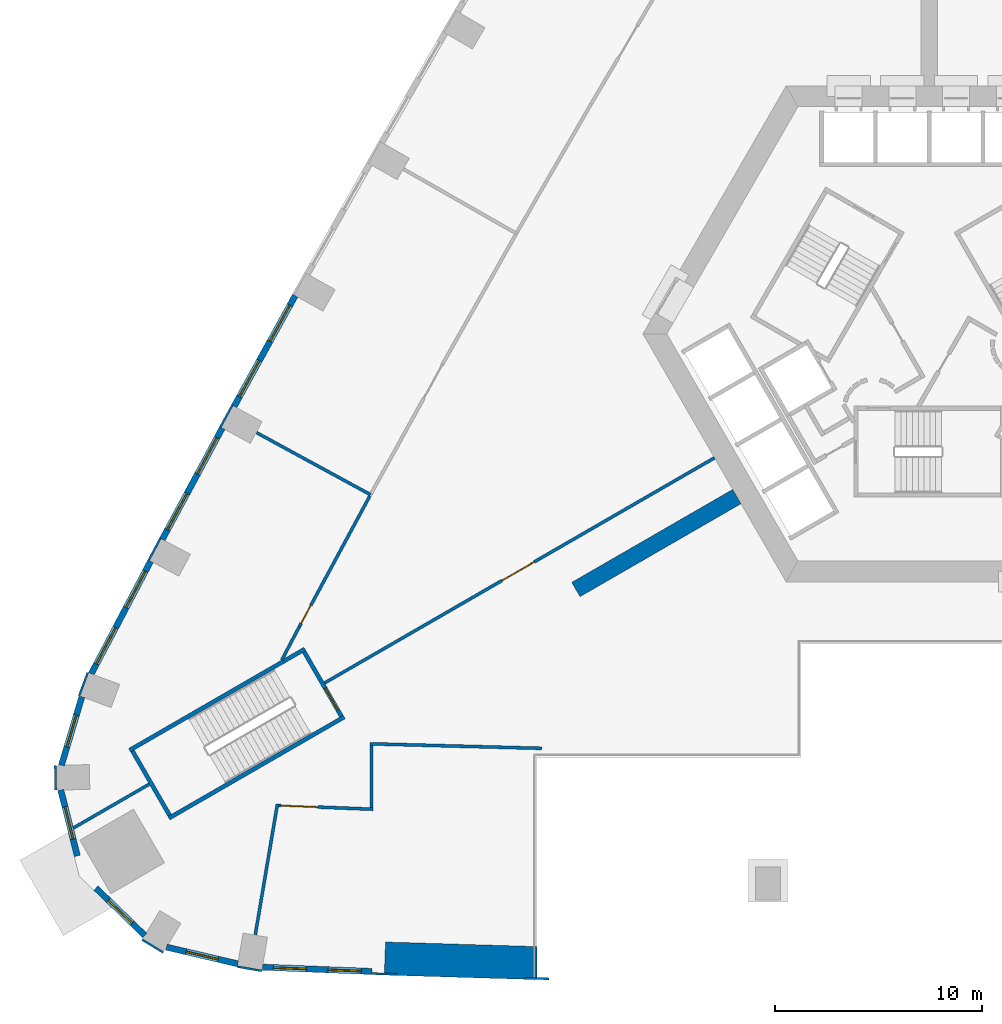
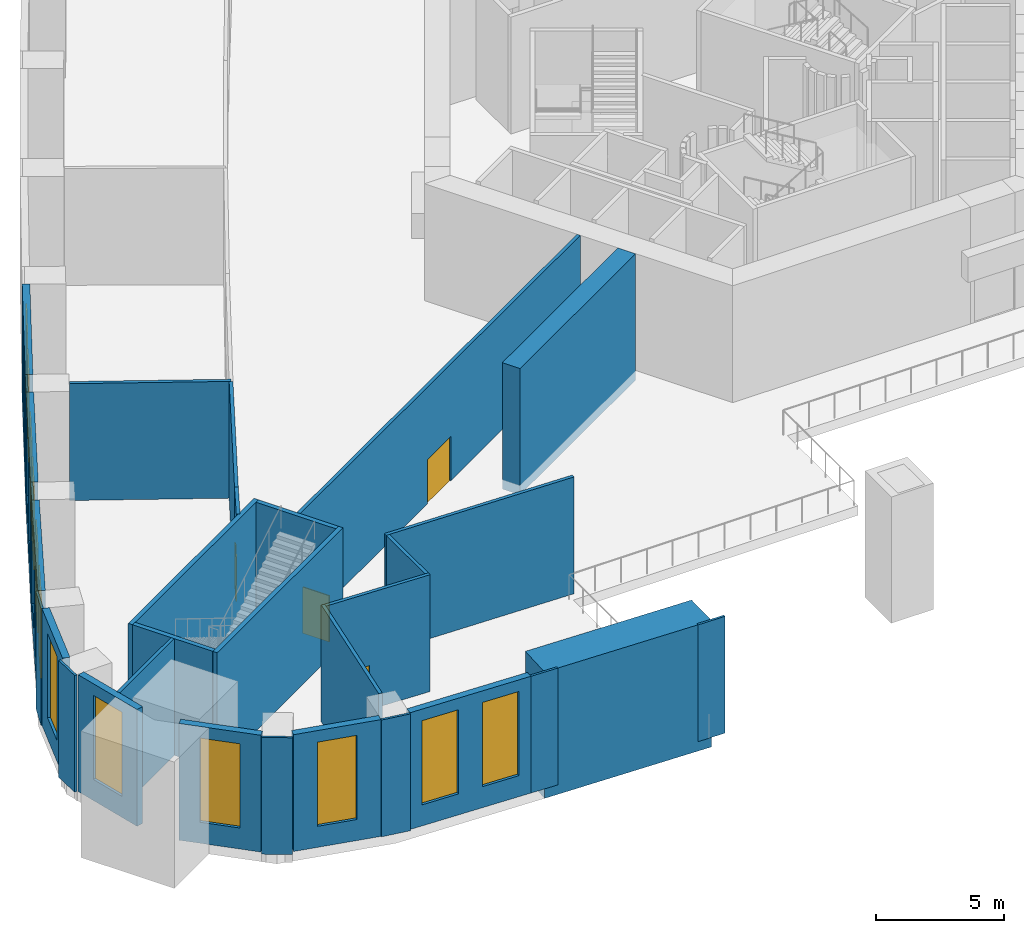
# One storey, part 2 of 15: 31 walls, 12 windows, 4 doors, 16 openings.
"""IFC4 building model written with IfcOpenShell, lengths in metres."""

from ifc_helpers import new_model, si_unit, direction, frame, frame_2d, origin, place, context, subcontext, project, spatial, polyline, rectangle, outline, extrude, material, layer, layer_set, type_object, element, fill, save


model = new_model("IFC4")

# Units and contexts
model_context = context("Model", 3, precision=1e-05, world=origin(), true_north=direction((0.0, 1.0)))
body_context = subcontext(model_context, "Body", "Model", "MODEL_VIEW")
ifc_project = project(units=[si_unit("LENGTHUNIT", "METRE"), si_unit("AREAUNIT", "SQUARE_METRE"), si_unit("VOLUMEUNIT", "CUBIC_METRE"), si_unit("PLANEANGLEUNIT", "RADIAN"), si_unit("MASSUNIT", "GRAM", prefix="KILO")], contexts=[model_context])

# Site, building, storey
site_placement = place(None, origin())
site = spatial("IfcSite", under=ifc_project, at=site_placement, CompositionType="ELEMENT")
building_placement = place(site_placement, origin())
building = spatial("IfcBuilding", under=site, at=building_placement, Name="Entoto Arch Interchange Tower", CompositionType="ELEMENT")
storey_placement = place(building_placement, frame((0.0, 0.0, 9.0)))
storey = spatial("IfcBuildingStorey", under=building, at=storey_placement, Name="L01", CompositionType="ELEMENT", Elevation=9.0)

# Walls
ifc_material_1 = material(Name="Concrete C60/75", Category="concrete")
ifc_layer_1 = layer(ifc_material_1, 1.60009765625)
ifc_layer_set_1 = layer_set([ifc_layer_1], Name="Concrete C60/75")
wall_type_1 = type_object("IfcWallType", Name="Arch leg wall 1600 C60/75", PredefinedType="SHEAR", material=ifc_layer_set_1)
wall_1_placement = place(storey_placement, frame((0.0, 0.0, -0.449951171875)))
element("IfcWall", 1, at=wall_1_placement, inside=storey, type_object=wall_type_1, Name="Arch leg W L01", PredefinedType="SHEAR", context=body_context, shape_type="SweptSolid", body=[
    extrude(outline(polyline([(-26.376953125, -28.5400390625), (-19.0, -28.761962890625), (-18.97607421875, -27.162109375), (-26.321044921875, -26.94091796875), (-26.376953125, -28.5400390625)])), origin(), (0.0, 0.0, 1.0), 6.0),
])
ifc_layer_2 = layer(ifc_material_1, 0.800048828125)
ifc_layer_set_2 = layer_set([ifc_layer_2], Name="Concrete C60/75")
wall_type_2 = type_object("IfcWallType", Name="Buttress wall 800 C60/75", PredefinedType="SHEAR", material=ifc_layer_set_2)
wall_2_placement = place(storey_placement, frame((-9.31005859375, -5.375, -0.449951171875), z_axis=(0.0, 0.0, 1.0), x_axis=(-0.866017533419, -0.500013631625, 0.0)))
element("IfcWall", 2, at=wall_2_placement, inside=storey, type_object=wall_type_2, Name="Buttress wall SW L01", PredefinedType="SHEAR", context=body_context, shape_type="SweptSolid", body=[
    extrude(rectangle(XDim=8.999755859375, YDim=0.800048828125, at=frame_2d((4.5, 0.0))), origin(), (0.0, 0.0, 1.0), 6.0),
])
ifc_material_2 = material(Name="Gypsum board partition on steel studs", Category="steel")
ifc_layer_3 = layer(ifc_material_2, 0.14990234375)
ifc_layer_set_3 = layer_set([ifc_layer_3], Name="Gypsum board partition on steel studs")
wall_type_3 = type_object("IfcWallType", Name="PARTITION 150", PredefinedType="PARTITIONING", material=ifc_layer_set_3)
wall_3_placement = place(storey_placement, frame((-32.625, -26.587890625, 0.0), z_axis=(0.0, 0.0, 1.0), x_axis=(0.16693222012, 0.985968373674, 0.0)))
element("IfcWall", 3, at=wall_3_placement, inside=storey, type_object=wall_type_3, Name="wall:L01:p032", PredefinedType="PARTITIONING", context=body_context, shape_type="SweptSolid", body=[
    extrude(rectangle(XDim=6.421875, YDim=0.14990234375, at=frame_2d((3.2109375, 0.0))), origin(), (0.0, 0.0, 1.0), 5.550048828125),
])

# Wall, opening, door
wall_4_placement = place(storey_placement, frame((-31.490966796875, -20.3330078125, 0.0), z_axis=(0.0, 0.0, 1.0), x_axis=(0.99923281192, -0.039163600211, 0.0)))
wall_4 = element("IfcWall", 4, at=wall_4_placement, inside=storey, type_object=wall_type_3, Name="wall:L01:p033", PredefinedType="PARTITIONING", context=body_context, shape_type="SweptSolid", body=[
    extrude(rectangle(XDim=4.5693359375, YDim=0.14990234375, at=frame_2d((2.28466796875, 0.0))), origin(), (0.0, 0.0, 1.0), 5.550048828125),
])
opening_1_placement = place(wall_4_placement, frame((0.10009765625, 0.0, 0.0)))
opening_1 = element("IfcOpeningElement", 5, at=opening_1_placement, cuts=wall_4, Name="Opening L01-D04", PredefinedType="OPENING", context=body_context, shape_type="SweptSolid", body=[
    extrude(rectangle(XDim=1.800048828125, YDim=2.10009765625, at=frame_2d((0.89990234375, 1.050048828125))), frame((0.0, 0.0849609375, 0.0), z_axis=(0.0, -1.0, 0.0), x_axis=(1.0, 0.0, 0.0)), (0.0, 0.0, 1.0), 0.169921875),
])
ifc_material_3 = material(Name="Timber door leaf in Steel S235 frame", Category="steel")
door_type_1 = type_object("IfcDoorType", Name="DOOR DD-18 1800x2100", OperationType="DOUBLE_DOOR_SINGLE_SWING", PredefinedType="DOOR", material=ifc_material_3)
door_1_placement = place(opening_1_placement, origin())
door_1 = element("IfcDoor", 6, at=door_1_placement, inside=storey, type_object=door_type_1, Name="door:L01:04", OperationType="DOUBLE_DOOR_SINGLE_SWING", OverallHeight=2.10009765625, OverallWidth=1.800048828125, PredefinedType="DOOR", context=body_context, shape_type="SweptSolid", body=[
    extrude(rectangle(XDim=1.800048828125, YDim=2.10009765625, at=frame_2d((0.89990234375, 1.050048828125))), frame((0.0, 0.02490234375, 0.0), z_axis=(0.0, -1.0, 0.0), x_axis=(1.0, 0.0, 0.0)), (0.0, 0.0, 1.0), 0.050048828125),
])
fill(opening_1, door_1)

# Walls
wall_5_placement = place(storey_placement, frame((-27.0, -20.43408203125, 0.0), z_axis=(0.0, 0.0, 1.0), x_axis=(0.0, 1.0, 0.0)))
element("IfcWall", 7, at=wall_5_placement, inside=storey, type_object=wall_type_3, Name="wall:L01:p034", PredefinedType="PARTITIONING", context=body_context, shape_type="SweptSolid", body=[
    extrude(rectangle(XDim=3.011962890625, YDim=0.14990234375, at=frame_2d((1.505859375, 0.0))), origin(), (0.0, 0.0, 1.0), 5.550048828125),
])
wall_6_placement = place(storey_placement, frame((-27.074951171875, -17.344970703125, 0.0), z_axis=(0.0, 0.0, 1.0), x_axis=(0.999650499667, -0.026436310543, 0.0)))
element("IfcWall", 8, at=wall_6_placement, inside=storey, type_object=wall_type_3, Name="wall:L01:p035", PredefinedType="PARTITIONING", context=body_context, shape_type="SweptSolid", body=[
    extrude(rectangle(XDim=8.32080078125, YDim=0.14990234375, at=frame_2d((4.160400390625, 0.0))), origin(), (0.0, 0.0, 1.0), 5.550048828125),
])
wall_7_placement = place(storey_placement, frame((-27.047119140625, -5.283935546875, 0.0), z_axis=(0.0, 0.0, 1.0), x_axis=(-0.878278583626, 0.478149275377, 0.0)))
element("IfcWall", 9, at=wall_7_placement, inside=storey, type_object=wall_type_3, Name="wall:L01:p061", PredefinedType="PARTITIONING", context=body_context, shape_type="SweptSolid", body=[
    extrude(rectangle(XDim=6.2802734375, YDim=0.14990234375, at=frame_2d((3.14013671875, 0.0))), origin(), (0.0, 0.0, 1.0), 5.550048828125),
])

# Wall, opening, door
wall_8_placement = place(storey_placement, frame((-27.08203125, -5.35009765625, 0.0), z_axis=(0.0, 0.0, 1.0), x_axis=(-0.474653615955, -0.880172679002, 0.0)))
wall_8 = element("IfcWall", 10, at=wall_8_placement, inside=storey, type_object=wall_type_3, Name="wall:L01:p064", PredefinedType="PARTITIONING", context=body_context, shape_type="SweptSolid", body=[
    extrude(rectangle(XDim=7.17578125, YDim=0.14990234375, at=frame_2d((3.587890625, 0.0))), origin(), (0.0, 0.0, 1.0), 5.550048828125),
])
opening_2_placement = place(wall_8_placement, frame((6.0048828125, 0.0, 0.0)))
opening_2 = element("IfcOpeningElement", 11, at=opening_2_placement, cuts=wall_8, Name="Opening L01-D14", PredefinedType="OPENING", context=body_context, shape_type="SweptSolid", body=[
    extrude(rectangle(XDim=1.0, YDim=2.10009765625, at=frame_2d((0.5, 1.050048828125))), frame((0.0, 0.0849609375, 0.0), z_axis=(0.0, -1.0, 0.0), x_axis=(1.0, 0.0, 0.0)), (0.0, 0.0, 1.0), 0.169921875),
])
door_type_2 = type_object("IfcDoorType", Name="DOOR DS-10 1000x2100", OperationType="SINGLE_SWING_LEFT", PredefinedType="DOOR", material=ifc_material_3)
door_2_placement = place(opening_2_placement, origin())
door_2 = element("IfcDoor", 12, at=door_2_placement, inside=storey, type_object=door_type_2, Name="door:L01:14", OperationType="SINGLE_SWING_LEFT", OverallHeight=2.10009765625, OverallWidth=1.0, PredefinedType="DOOR", context=body_context, shape_type="SweptSolid", body=[
    extrude(rectangle(XDim=1.0, YDim=2.10009765625, at=frame_2d((0.5, 1.050048828125))), frame((0.0, 0.02490234375, 0.0), z_axis=(0.0, -1.0, 0.0), x_axis=(1.0, 0.0, 0.0)), (0.0, 0.0, 1.0), 0.050048828125),
])
fill(opening_2, door_2)

# Walls
wall_9_placement = place(storey_placement, frame((-30.488037109375, -11.666015625, 0.0), z_axis=(0.0, 0.0, 1.0), x_axis=(-0.466164290517, -0.884698171269, 0.0)))
element("IfcWall", 13, at=wall_9_placement, inside=storey, type_object=wall_type_3, Name="wall:L01:p065", PredefinedType="PARTITIONING", context=body_context, shape_type="SweptSolid", body=[
    extrude(rectangle(XDim=1.829833984375, YDim=0.14990234375, at=frame_2d((0.9150390625, 0.0))), origin(), (0.0, 0.0, 1.0), 5.550048828125),
])
wall_10_placement = place(storey_placement, frame((-37.759033203125, -19.300048828125, 0.0), z_axis=(0.0, 0.0, 1.0), x_axis=(-0.866003200133, -0.500038455881, 0.0)))
element("IfcWall", 14, at=wall_10_placement, inside=storey, type_object=wall_type_3, Name="wall:L01:p066", PredefinedType="PARTITIONING", context=body_context, shape_type="SweptSolid", body=[
    extrude(rectangle(XDim=4.235595703125, YDim=0.14990234375, at=frame_2d((2.11767578125, 0.0))), origin(), (0.0, 0.0, 1.0), 5.550048828125),
])

# Wall, opening, door
wall_11_placement = place(storey_placement, frame((-10.39208984375, -3.5, 0.0), z_axis=(0.0, 0.0, 1.0), x_axis=(-0.866033409894, -0.499986132754, 0.0)))
wall_11 = element("IfcWall", 15, at=wall_11_placement, inside=storey, type_object=wall_type_3, Name="wall:L01:p067", PredefinedType="PARTITIONING", context=body_context, shape_type="SweptSolid", body=[
    extrude(rectangle(XDim=21.80029296875, YDim=0.14990234375, at=frame_2d((10.900146484375, 0.0))), origin(), (0.0, 0.0, 1.0), 5.550048828125),
])
opening_3_placement = place(wall_11_placement, frame((10.080078125, 0.0, 0.0)))
opening_3 = element("IfcOpeningElement", 16, at=opening_3_placement, cuts=wall_11, Name="Opening L01-D01", PredefinedType="OPENING", context=body_context, shape_type="SweptSolid", body=[
    extrude(rectangle(XDim=1.800048828125, YDim=2.10009765625, at=frame_2d((0.89990234375, 1.050048828125))), frame((0.0, 0.0849609375, 0.0), z_axis=(0.0, -1.0, 0.0), x_axis=(1.0, 0.0, 0.0)), (0.0, 0.0, 1.0), 0.169921875),
])
ifc_material_4 = material(Name="Fire-rated Steel S235 door and frame", Category="steel")
door_type_3 = type_object("IfcDoorType", Name="DOOR FD-18 1800x2100", OperationType="DOUBLE_DOOR_SINGLE_SWING", PredefinedType="DOOR", material=ifc_material_4)
door_3_placement = place(opening_3_placement, origin())
door_3 = element("IfcDoor", 17, at=door_3_placement, inside=storey, type_object=door_type_3, Name="door:L01:01", OperationType="DOUBLE_DOOR_SINGLE_SWING", OverallHeight=2.10009765625, OverallWidth=1.800048828125, PredefinedType="DOOR", context=body_context, shape_type="SweptSolid", body=[
    extrude(rectangle(XDim=1.800048828125, YDim=2.10009765625, at=frame_2d((0.89990234375, 1.050048828125))), frame((0.0, 0.02490234375, 0.0), z_axis=(0.0, -1.0, 0.0), x_axis=(1.0, 0.0, 0.0)), (0.0, 0.0, 1.0), 0.050048828125),
])
fill(opening_3, door_3)

# Walls
ifc_material_5 = material(Name="Concrete C40/50", Category="concrete")
ifc_layer_4 = layer(ifc_material_5, 0.199951171875)
ifc_layer_set_4 = layer_set([ifc_layer_4], Name="Concrete C40/50")
wall_type_4 = type_object("IfcWallType", Name="STAIR ENCLOSURE WALL 200", PredefinedType="STANDARD", material=ifc_layer_set_4)
for number, where, z_axis, x_axis, name in (
    (18, (-30.221923828125, -12.7548828125, 0.0), (0.0, 0.0, 1.0), (-0.866019227021, -0.500010698315, 0.0), "Stair wall PST-SW left"),
    (19, (-28.322021484375, -16.044921875, 0.0), (0.0, 0.0, 1.0), (-0.866019227021, -0.500010698315, 0.0), "Stair wall PST-SW right"),
):
    element("IfcWall", number, at=place(storey_placement, frame(where, z_axis=z_axis, x_axis=x_axis)), inside=storey, type_object=wall_type_4, Name=name, PredefinedType="STANDARD", context=body_context, shape_type="SweptSolid", body=[
        extrude(rectangle(XDim=9.800048828125, YDim=0.199951171875, at=frame_2d((4.89990234375, 0.0))), origin(), (0.0, 0.0, 1.0), 5.550048828125),
    ])

# Wall, opening, door
wall_12_placement = place(storey_placement, frame((-30.258056640625, -12.89111328125, 0.0), z_axis=(0.0, 0.0, 1.0), x_axis=(0.499982693035, -0.866035395735, 0.0)))
wall_12 = element("IfcWall", 20, at=wall_12_placement, inside=storey, type_object=wall_type_4, Name="Stair wall PST-SW near", PredefinedType="STANDARD", context=body_context, shape_type="SweptSolid", body=[
    extrude(rectangle(XDim=3.600341796875, YDim=0.199951171875, at=frame_2d((1.80029296875, 0.0))), origin(), (0.0, 0.0, 1.0), 5.550048828125),
])
opening_4_placement = place(wall_12_placement, frame((2.050048828125, 0.0, 0.0)))
opening_4 = element("IfcOpeningElement", 21, at=opening_4_placement, cuts=wall_12, Name="Opening SD-PST-SW-L01", PredefinedType="OPENING", context=body_context, shape_type="SweptSolid", body=[
    extrude(rectangle(XDim=1.199951171875, YDim=2.199951171875, at=frame_2d((0.60009765625, 1.10009765625))), frame((0.0, 0.10986328125, 0.0), z_axis=(0.0, -1.0, 0.0), x_axis=(1.0, 0.0, 0.0)), (0.0, 0.0, 1.0), 0.219970703125),
])
ifc_material_6 = material(Name="Steel S235", Category="steel")
door_type_4 = type_object("IfcDoorType", Name="STAIR DOOR SD2 1200x2200", OperationType="SINGLE_SWING_LEFT", PredefinedType="DOOR", material=ifc_material_6)
door_4_placement = place(opening_4_placement, origin())
door_4 = element("IfcDoor", 22, at=door_4_placement, inside=storey, type_object=door_type_4, Name="Stair door PST-SW L01", OperationType="SINGLE_SWING_LEFT", OverallHeight=2.199951171875, OverallWidth=1.199951171875, PredefinedType="DOOR", context=body_context, shape_type="SweptSolid", body=[
    extrude(rectangle(XDim=1.199951171875, YDim=2.199951171875, at=frame_2d((0.60009765625, 1.10009765625))), frame((0.0, 0.02490234375, 0.0), z_axis=(0.0, -1.0, 0.0), x_axis=(1.0, 0.0, 0.0)), (0.0, 0.0, 1.0), 0.050048828125),
])
fill(opening_4, door_4)

# Wall
wall_13_placement = place(storey_placement, frame((-38.572021484375, -17.69091796875, 0.0), z_axis=(0.0, 0.0, 1.0), x_axis=(0.49995333141, -0.866052346231, 0.0)))
element("IfcWall", 23, at=wall_13_placement, inside=storey, type_object=wall_type_4, Name="Stair wall PST-SW far", PredefinedType="STANDARD", context=body_context, shape_type="SweptSolid", body=[
    extrude(rectangle(XDim=3.600341796875, YDim=0.199951171875, at=frame_2d((1.80029296875, 0.0))), origin(), (0.0, 0.0, 1.0), 5.550048828125),
])

# Wall, openings, windows
ifc_material_7 = material(Name="Welded tuff (ignimbrite) cladding, warm buff", Category="masonry")
ifc_layer_5 = layer(ifc_material_7, 0.300048828125)
ifc_layer_set_5 = layer_set([ifc_layer_5], Name="Welded tuff (ignimbrite) cladding, warm buff")
wall_type_5 = type_object("IfcWallType", Name="STONE INFILL WALL 300", PredefinedType="STANDARD", material=ifc_layer_set_5)
wall_14_placement = place(storey_placement, frame((-32.281982421875, -28.158935546875, 0.0), z_axis=(0.0, 0.0, 1.0), x_axis=(0.999234205654, -0.039128023863, 0.0)))
wall_14 = element("IfcWall", 24, at=wall_14_placement, inside=storey, type_object=wall_type_5, Name="Facade wall S-01 L01", PredefinedType="STANDARD", context=body_context, shape_type="SweptSolid", body=[
    extrude(rectangle(XDim=5.316162109375, YDim=0.300048828125, at=frame_2d((2.658203125, 0.0))), origin(), (0.0, 0.0, 1.0), 5.550048828125),
])
opening_5_placement = place(wall_14_placement, frame((0.529052734375, 0.0, 1.0)))
opening_5 = element("IfcOpeningElement", 25, at=opening_5_placement, cuts=wall_14, Name="Opening WP-D", PredefinedType="OPENING", context=body_context, shape_type="SweptSolid", body=[
    extrude(rectangle(XDim=1.60009765625, YDim=4.0, at=frame_2d((0.800048828125, 2.0))), frame((0.0, 0.16015625, 0.0), z_axis=(0.0, -1.0, 0.0), x_axis=(1.0, 0.0, 0.0)), (0.0, 0.0, 1.0), 0.320068359375),
])
opening_6_placement = place(wall_14_placement, frame((3.18701171875, 0.0, 1.0)))
opening_6 = element("IfcOpeningElement", 26, at=opening_6_placement, cuts=wall_14, Name="Opening WP-D", PredefinedType="OPENING", context=body_context, shape_type="SweptSolid", body=[
    extrude(rectangle(XDim=1.60009765625, YDim=4.0, at=frame_2d((0.800048828125, 2.0))), frame((0.0, 0.16015625, 0.0), z_axis=(0.0, -1.0, 0.0), x_axis=(1.0, 0.0, 0.0)), (0.0, 0.0, 1.0), 0.320068359375),
])
ifc_material_8 = material(Name="Clear glass, low-e double glazed", Category="glass")
window_type_1 = type_object("IfcWindowType", Name="WINDOW WP-D 1600x4000", PartitioningType="DOUBLE_PANEL_VERTICAL", PredefinedType="WINDOW", material=ifc_material_8)
window_1_placement = place(opening_5_placement, origin())
window_1 = element("IfcWindow", 27, at=window_1_placement, inside=storey, type_object=window_type_1, Name="Window WP-D S-01 L01", OverallHeight=4.0, OverallWidth=1.60009765625, PartitioningType="SINGLE_PANEL", PredefinedType="WINDOW", context=body_context, shape_type="SweptSolid", body=[
    extrude(rectangle(XDim=1.60009765625, YDim=4.0, at=frame_2d((0.800048828125, 2.0))), frame((0.0, 0.030029296875, 0.0), z_axis=(0.0, -1.0, 0.0), x_axis=(1.0, 0.0, 0.0)), (0.0, 0.0, 1.0), 0.06005859375),
])
fill(opening_5, window_1)
window_2_placement = place(opening_6_placement, origin())
window_2 = element("IfcWindow", 28, at=window_2_placement, inside=storey, type_object=window_type_1, Name="Window WP-D S-01 L01", OverallHeight=4.0, OverallWidth=1.60009765625, PartitioningType="SINGLE_PANEL", PredefinedType="WINDOW", context=body_context, shape_type="SweptSolid", body=[
    extrude(rectangle(XDim=1.60009765625, YDim=4.0, at=frame_2d((0.800048828125, 2.0))), frame((0.0, 0.030029296875, 0.0), z_axis=(0.0, -1.0, 0.0), x_axis=(1.0, 0.0, 0.0)), (0.0, 0.0, 1.0), 0.06005859375),
])
fill(opening_6, window_2)

wall_15_placement = place(storey_placement, frame((-30.694091796875, 4.35302734375, 0.0), z_axis=(0.0, 0.0, 1.0), x_axis=(-0.483233380559, -0.875491576152, 0.0)))
wall_15 = element("IfcWall", 29, at=wall_15_placement, inside=storey, type_object=wall_type_5, Name="Facade wall NW-07 L01", PredefinedType="STANDARD", context=body_context, shape_type="SweptSolid", body=[
    extrude(rectangle(XDim=6.121337890625, YDim=0.300048828125, at=frame_2d((3.060546875, 0.0))), origin(), (0.0, 0.0, 1.0), 5.550048828125),
])
opening_7_placement = place(wall_15_placement, frame((0.530029296875, 0.0, 1.0)))
opening_7 = element("IfcOpeningElement", 30, at=opening_7_placement, cuts=wall_15, Name="Opening WP-F", PredefinedType="OPENING", context=body_context, shape_type="SweptSolid", body=[
    extrude(rectangle(XDim=2.0, YDim=4.0, at=frame_2d((1.0, 2.0))), frame((0.0, 0.16015625, 0.0), z_axis=(0.0, -1.0, 0.0), x_axis=(1.0, 0.0, 0.0)), (0.0, 0.0, 1.0), 0.320068359375),
])
opening_8_placement = place(wall_15_placement, frame((3.591064453125, 0.0, 1.0)))
opening_8 = element("IfcOpeningElement", 31, at=opening_8_placement, cuts=wall_15, Name="Opening WP-F", PredefinedType="OPENING", context=body_context, shape_type="SweptSolid", body=[
    extrude(rectangle(XDim=2.0, YDim=4.0, at=frame_2d((1.0, 2.0))), frame((0.0, 0.16015625, 0.0), z_axis=(0.0, -1.0, 0.0), x_axis=(1.0, 0.0, 0.0)), (0.0, 0.0, 1.0), 0.320068359375),
])
window_type_2 = type_object("IfcWindowType", Name="WINDOW WP-F 2000x4000", PartitioningType="DOUBLE_PANEL_VERTICAL", PredefinedType="WINDOW", material=ifc_material_8)
window_3_placement = place(opening_7_placement, origin())
window_3 = element("IfcWindow", 32, at=window_3_placement, inside=storey, type_object=window_type_2, Name="Window WP-F NW-07 L01", OverallHeight=4.0, OverallWidth=2.0, PartitioningType="SINGLE_PANEL", PredefinedType="WINDOW", context=body_context, shape_type="SweptSolid", body=[
    extrude(rectangle(XDim=2.0, YDim=4.0, at=frame_2d((1.0, 2.0))), frame((0.0, 0.030029296875, 0.0), z_axis=(0.0, -1.0, 0.0), x_axis=(1.0, 0.0, 0.0)), (0.0, 0.0, 1.0), 0.06005859375),
])
fill(opening_7, window_3)
window_4_placement = place(opening_8_placement, origin())
window_4 = element("IfcWindow", 33, at=window_4_placement, inside=storey, type_object=window_type_2, Name="Window WP-F NW-07 L01", OverallHeight=4.0, OverallWidth=2.0, PartitioningType="SINGLE_PANEL", PredefinedType="WINDOW", context=body_context, shape_type="SweptSolid", body=[
    extrude(rectangle(XDim=2.0, YDim=4.0, at=frame_2d((1.0, 2.0))), frame((0.0, 0.030029296875, 0.0), z_axis=(0.0, -1.0, 0.0), x_axis=(1.0, 0.0, 0.0)), (0.0, 0.0, 1.0), 0.06005859375),
])
fill(opening_8, window_4)

wall_16_placement = place(storey_placement, frame((-34.22607421875, -2.05810546875, 0.0), z_axis=(0.0, 0.0, 1.0), x_axis=(-0.474584950749, -0.880209704856, 0.0)))
wall_16 = element("IfcWall", 34, at=wall_16_placement, inside=storey, type_object=wall_type_5, Name="Facade wall NW-08 L01", PredefinedType="STANDARD", context=body_context, shape_type="SweptSolid", body=[
    extrude(rectangle(XDim=6.12109375, YDim=0.300048828125, at=frame_2d((3.060546875, 0.0))), origin(), (0.0, 0.0, 1.0), 5.550048828125),
])
opening_9_placement = place(wall_16_placement, frame((0.530029296875, 0.0, 1.0)))
opening_9 = element("IfcOpeningElement", 35, at=opening_9_placement, cuts=wall_16, Name="Opening WP-F", PredefinedType="OPENING", context=body_context, shape_type="SweptSolid", body=[
    extrude(rectangle(XDim=2.0, YDim=4.0, at=frame_2d((1.0, 2.0))), frame((0.0, 0.16015625, 0.0), z_axis=(0.0, -1.0, 0.0), x_axis=(1.0, 0.0, 0.0)), (0.0, 0.0, 1.0), 0.320068359375),
])
opening_10_placement = place(wall_16_placement, frame((3.591064453125, 0.0, 1.0)))
opening_10 = element("IfcOpeningElement", 36, at=opening_10_placement, cuts=wall_16, Name="Opening WP-F", PredefinedType="OPENING", context=body_context, shape_type="SweptSolid", body=[
    extrude(rectangle(XDim=2.0, YDim=4.0, at=frame_2d((1.0, 2.0))), frame((0.0, 0.16015625, 0.0), z_axis=(0.0, -1.0, 0.0), x_axis=(1.0, 0.0, 0.0)), (0.0, 0.0, 1.0), 0.320068359375),
])
window_5_placement = place(opening_9_placement, origin())
window_5 = element("IfcWindow", 37, at=window_5_placement, inside=storey, type_object=window_type_2, Name="Window WP-F NW-08 L01", OverallHeight=4.0, OverallWidth=2.0, PartitioningType="SINGLE_PANEL", PredefinedType="WINDOW", context=body_context, shape_type="SweptSolid", body=[
    extrude(rectangle(XDim=2.0, YDim=4.0, at=frame_2d((1.0, 2.0))), frame((0.0, 0.030029296875, 0.0), z_axis=(0.0, -1.0, 0.0), x_axis=(1.0, 0.0, 0.0)), (0.0, 0.0, 1.0), 0.06005859375),
])
fill(opening_9, window_5)
window_6_placement = place(opening_10_placement, origin())
window_6 = element("IfcWindow", 38, at=window_6_placement, inside=storey, type_object=window_type_2, Name="Window WP-F NW-08 L01", OverallHeight=4.0, OverallWidth=2.0, PartitioningType="SINGLE_PANEL", PredefinedType="WINDOW", context=body_context, shape_type="SweptSolid", body=[
    extrude(rectangle(XDim=2.0, YDim=4.0, at=frame_2d((1.0, 2.0))), frame((0.0, 0.030029296875, 0.0), z_axis=(0.0, -1.0, 0.0), x_axis=(1.0, 0.0, 0.0)), (0.0, 0.0, 1.0), 0.06005859375),
])
fill(opening_10, window_6)

wall_17_placement = place(storey_placement, frame((-37.695068359375, -8.5029296875, 0.0), z_axis=(0.0, 0.0, 1.0), x_axis=(-0.466125129602, -0.884718804792, 0.0)))
wall_17 = element("IfcWall", 39, at=wall_17_placement, inside=storey, type_object=wall_type_5, Name="Facade wall NW-09 L01", PredefinedType="STANDARD", context=body_context, shape_type="SweptSolid", body=[
    extrude(rectangle(XDim=6.16357421875, YDim=0.300048828125, at=frame_2d((3.081787109375, 0.0))), origin(), (0.0, 0.0, 1.0), 5.550048828125),
])
opening_11_placement = place(wall_17_placement, frame((0.541015625, 0.0, 1.0)))
opening_11 = element("IfcOpeningElement", 40, at=opening_11_placement, cuts=wall_17, Name="Opening WP-F", PredefinedType="OPENING", context=body_context, shape_type="SweptSolid", body=[
    extrude(rectangle(XDim=2.0, YDim=4.0, at=frame_2d((1.0, 2.0))), frame((0.0, 0.16015625, 0.0), z_axis=(0.0, -1.0, 0.0), x_axis=(1.0, 0.0, 0.0)), (0.0, 0.0, 1.0), 0.320068359375),
])
opening_12_placement = place(wall_17_placement, frame((3.623046875, 0.0, 1.0)))
opening_12 = element("IfcOpeningElement", 41, at=opening_12_placement, cuts=wall_17, Name="Opening WP-F", PredefinedType="OPENING", context=body_context, shape_type="SweptSolid", body=[
    extrude(rectangle(XDim=2.0, YDim=4.0, at=frame_2d((1.0, 2.0))), frame((0.0, 0.16015625, 0.0), z_axis=(0.0, -1.0, 0.0), x_axis=(1.0, 0.0, 0.0)), (0.0, 0.0, 1.0), 0.320068359375),
])
window_7_placement = place(opening_11_placement, origin())
window_7 = element("IfcWindow", 42, at=window_7_placement, inside=storey, type_object=window_type_2, Name="Window WP-F NW-09 L01", OverallHeight=4.0, OverallWidth=2.0, PartitioningType="SINGLE_PANEL", PredefinedType="WINDOW", context=body_context, shape_type="SweptSolid", body=[
    extrude(rectangle(XDim=2.0, YDim=4.0, at=frame_2d((1.0, 2.0))), frame((0.0, 0.030029296875, 0.0), z_axis=(0.0, -1.0, 0.0), x_axis=(1.0, 0.0, 0.0)), (0.0, 0.0, 1.0), 0.06005859375),
])
fill(opening_11, window_7)
window_8_placement = place(opening_12_placement, origin())
window_8 = element("IfcWindow", 43, at=window_8_placement, inside=storey, type_object=window_type_2, Name="Window WP-F NW-09 L01", OverallHeight=4.0, OverallWidth=2.0, PartitioningType="SINGLE_PANEL", PredefinedType="WINDOW", context=body_context, shape_type="SweptSolid", body=[
    extrude(rectangle(XDim=2.0, YDim=4.0, at=frame_2d((1.0, 2.0))), frame((0.0, 0.030029296875, 0.0), z_axis=(0.0, -1.0, 0.0), x_axis=(1.0, 0.0, 0.0)), (0.0, 0.0, 1.0), 0.06005859375),
])
fill(opening_12, window_8)

# Wall, opening, window
wall_18_placement = place(storey_placement, frame((-41.02197265625, -15.06591796875, 0.0), z_axis=(0.0, 0.0, 1.0), x_axis=(-0.285800575124, -0.958289116738, 0.0)))
wall_18 = element("IfcWall", 44, at=wall_18_placement, inside=storey, type_object=wall_type_5, Name="Facade wall SW-01 L01", PredefinedType="STANDARD", context=body_context, shape_type="SweptSolid", body=[
    extrude(rectangle(XDim=3.46044921875, YDim=0.300048828125, at=frame_2d((1.730224609375, 0.0))), origin(), (0.0, 0.0, 1.0), 5.550048828125),
])
opening_13_placement = place(wall_18_placement, frame((0.929931640625, 0.0, 1.0)))
opening_13 = element("IfcOpeningElement", 45, at=opening_13_placement, cuts=wall_18, Name="Opening WP-D", PredefinedType="OPENING", context=body_context, shape_type="SweptSolid", body=[
    extrude(rectangle(XDim=1.60009765625, YDim=4.0, at=frame_2d((0.800048828125, 2.0))), frame((0.0, 0.16015625, 0.0), z_axis=(0.0, -1.0, 0.0), x_axis=(1.0, 0.0, 0.0)), (0.0, 0.0, 1.0), 0.320068359375),
])
window_9_placement = place(opening_13_placement, origin())
window_9 = element("IfcWindow", 46, at=window_9_placement, inside=storey, type_object=window_type_1, Name="Window WP-D SW-01 L01", OverallHeight=4.0, OverallWidth=1.60009765625, PartitioningType="SINGLE_PANEL", PredefinedType="WINDOW", context=body_context, shape_type="SweptSolid", body=[
    extrude(rectangle(XDim=1.60009765625, YDim=4.0, at=frame_2d((0.800048828125, 2.0))), frame((0.0, 0.030029296875, 0.0), z_axis=(0.0, -1.0, 0.0), x_axis=(1.0, 0.0, 0.0)), (0.0, 0.0, 1.0), 0.06005859375),
])
fill(opening_13, window_9)

wall_19_placement = place(storey_placement, frame((-42.0439453125, -19.5810546875, 0.0), z_axis=(0.0, 0.0, 1.0), x_axis=(0.244315836028, -0.969695711172, 0.0)))
wall_19 = element("IfcWall", 47, at=wall_19_placement, inside=storey, type_object=wall_type_5, Name="Facade wall SW-02 L01", PredefinedType="STANDARD", context=body_context, shape_type="SweptSolid", body=[
    extrude(rectangle(XDim=3.29052734375, YDim=0.300048828125, at=frame_2d((1.645263671875, 0.0))), origin(), (0.0, 0.0, 1.0), 5.550048828125),
])
opening_14_placement = place(wall_19_placement, frame((0.844970703125, 0.0, 1.0)))
opening_14 = element("IfcOpeningElement", 48, at=opening_14_placement, cuts=wall_19, Name="Opening WP-D", PredefinedType="OPENING", context=body_context, shape_type="SweptSolid", body=[
    extrude(rectangle(XDim=1.60009765625, YDim=4.0, at=frame_2d((0.800048828125, 2.0))), frame((0.0, 0.16015625, 0.0), z_axis=(0.0, -1.0, 0.0), x_axis=(1.0, 0.0, 0.0)), (0.0, 0.0, 1.0), 0.320068359375),
])
window_10_placement = place(opening_14_placement, origin())
window_10 = element("IfcWindow", 49, at=window_10_placement, inside=storey, type_object=window_type_1, Name="Window WP-D SW-02 L01", OverallHeight=4.0, OverallWidth=1.60009765625, PartitioningType="SINGLE_PANEL", PredefinedType="WINDOW", context=body_context, shape_type="SweptSolid", body=[
    extrude(rectangle(XDim=1.60009765625, YDim=4.0, at=frame_2d((0.800048828125, 2.0))), frame((0.0, 0.030029296875, 0.0), z_axis=(0.0, -1.0, 0.0), x_axis=(1.0, 0.0, 0.0)), (0.0, 0.0, 1.0), 0.06005859375),
])
fill(opening_14, window_10)

wall_20_placement = place(storey_placement, frame((-40.341064453125, -24.3291015625, 0.0), z_axis=(0.0, 0.0, 1.0), x_axis=(0.717527250225, -0.696530433782, 0.0)))
wall_20 = element("IfcWall", 50, at=wall_20_placement, inside=storey, type_object=wall_type_5, Name="Facade wall SW-03 L01", PredefinedType="STANDARD", context=body_context, shape_type="SweptSolid", body=[
    extrude(rectangle(XDim=3.29052734375, YDim=0.300048828125, at=frame_2d((1.645263671875, 0.0))), origin(), (0.0, 0.0, 1.0), 5.550048828125),
])
opening_15_placement = place(wall_20_placement, frame((0.844970703125, 0.0, 1.0)))
opening_15 = element("IfcOpeningElement", 51, at=opening_15_placement, cuts=wall_20, Name="Opening WP-D", PredefinedType="OPENING", context=body_context, shape_type="SweptSolid", body=[
    extrude(rectangle(XDim=1.60009765625, YDim=4.0, at=frame_2d((0.800048828125, 2.0))), frame((0.0, 0.16015625, 0.0), z_axis=(0.0, -1.0, 0.0), x_axis=(1.0, 0.0, 0.0)), (0.0, 0.0, 1.0), 0.320068359375),
])
window_11_placement = place(opening_15_placement, origin())
window_11 = element("IfcWindow", 52, at=window_11_placement, inside=storey, type_object=window_type_1, Name="Window WP-D SW-03 L01", OverallHeight=4.0, OverallWidth=1.60009765625, PartitioningType="SINGLE_PANEL", PredefinedType="WINDOW", context=body_context, shape_type="SweptSolid", body=[
    extrude(rectangle(XDim=1.60009765625, YDim=4.0, at=frame_2d((0.800048828125, 2.0))), frame((0.0, 0.030029296875, 0.0), z_axis=(0.0, -1.0, 0.0), x_axis=(1.0, 0.0, 0.0)), (0.0, 0.0, 1.0), 0.06005859375),
])
fill(opening_15, window_11)

wall_21_placement = place(storey_placement, frame((-36.923095703125, -27.18896484375, 0.0), z_axis=(0.0, 0.0, 1.0), x_axis=(0.97357041301, -0.228387063799, 0.0)))
wall_21 = element("IfcWall", 53, at=wall_21_placement, inside=storey, type_object=wall_type_5, Name="Facade wall SW-04 L01", PredefinedType="STANDARD", context=body_context, shape_type="SweptSolid", body=[
    extrude(rectangle(XDim=3.546875, YDim=0.300048828125, at=frame_2d((1.7734375, 0.0))), origin(), (0.0, 0.0, 1.0), 5.550048828125),
])
opening_16_placement = place(wall_21_placement, frame((0.972900390625, 0.0, 1.0)))
opening_16 = element("IfcOpeningElement", 54, at=opening_16_placement, cuts=wall_21, Name="Opening WP-D", PredefinedType="OPENING", context=body_context, shape_type="SweptSolid", body=[
    extrude(rectangle(XDim=1.60009765625, YDim=4.0, at=frame_2d((0.800048828125, 2.0))), frame((0.0, 0.16015625, 0.0), z_axis=(0.0, -1.0, 0.0), x_axis=(1.0, 0.0, 0.0)), (0.0, 0.0, 1.0), 0.320068359375),
])
window_12_placement = place(opening_16_placement, origin())
window_12 = element("IfcWindow", 55, at=window_12_placement, inside=storey, type_object=window_type_1, Name="Window WP-D SW-04 L01", OverallHeight=4.0, OverallWidth=1.60009765625, PartitioningType="SINGLE_PANEL", PredefinedType="WINDOW", context=body_context, shape_type="SweptSolid", body=[
    extrude(rectangle(XDim=1.60009765625, YDim=4.0, at=frame_2d((0.800048828125, 2.0))), frame((0.0, 0.030029296875, 0.0), z_axis=(0.0, -1.0, 0.0), x_axis=(1.0, 0.0, 0.0)), (0.0, 0.0, 1.0), 0.06005859375),
])
fill(opening_16, window_12)

# Walls
ifc_layer_6 = layer(ifc_material_7, 0.10009765625)
ifc_layer_set_6 = layer_set([ifc_layer_6], Name="Welded tuff (ignimbrite) cladding, warm buff")
wall_type_6 = type_object("IfcWallType", Name="STONE PIER CLADDING 100", PredefinedType="STANDARD", material=ifc_layer_set_6)
wall_22_placement = place(storey_placement, frame((-33.741943359375, -0.9560546875, 0.0), z_axis=(0.0, 0.0, 1.0), x_axis=(-0.478267644701, -0.878214131082, 0.0)))
element("IfcWall", 56, at=wall_22_placement, inside=storey, type_object=wall_type_6, Name="Stone pier NW08 L01", PredefinedType="STANDARD", context=body_context, shape_type="SweptSolid", body=[
    extrude(rectangle(XDim=1.2001953125, YDim=0.10009765625, at=frame_2d((0.60009765625, 0.0))), origin(), (0.0, 0.0, 1.0), 5.550048828125),
])
wall_23_placement = place(storey_placement, frame((-37.221923828125, -7.39697265625, 0.0), z_axis=(0.0, 0.0, 1.0), x_axis=(-0.469383408131, -0.882994459876, 0.0)))
element("IfcWall", 57, at=wall_23_placement, inside=storey, type_object=wall_type_6, Name="Stone pier NW09 L01", PredefinedType="STANDARD", context=body_context, shape_type="SweptSolid", body=[
    extrude(rectangle(XDim=1.199462890625, YDim=0.10009765625, at=frame_2d((0.599609375, 0.0))), origin(), (0.0, 0.0, 1.0), 5.550048828125),
])
wall_24_placement = place(storey_placement, frame((-40.735107421875, -13.89306640625, 0.0), z_axis=(0.0, 0.0, 1.0), x_axis=(-0.348268249601, -0.937394914814, 0.0)))
element("IfcWall", 58, at=wall_24_placement, inside=storey, type_object=wall_type_6, Name="Stone pier NW10 L01", PredefinedType="STANDARD", context=body_context, shape_type="SweptSolid", body=[
    extrude(rectangle(XDim=1.2001953125, YDim=0.10009765625, at=frame_2d((0.60009765625, 0.0))), origin(), (0.0, 0.0, 1.0), 5.550048828125),
])
wall_25_placement = place(storey_placement, frame((-33.493896484375, -28.135009765625, 0.0), z_axis=(0.0, 0.0, 1.0), x_axis=(0.986011774526, -0.166675674579, 0.0)))
element("IfcWall", 59, at=wall_25_placement, inside=storey, type_object=wall_type_6, Name="Stone pier S01 L01", PredefinedType="STANDARD", context=body_context, shape_type="SweptSolid", body=[
    extrude(rectangle(XDim=1.19970703125, YDim=0.10009765625, at=frame_2d((0.599853515625, 0.0))), origin(), (0.0, 0.0, 1.0), 5.550048828125),
])
wall_26_placement = place(storey_placement, frame((-26.97509765625, -28.468994140625, 0.0), z_axis=(0.0, 0.0, 1.0), x_axis=(0.999387493042, -0.034994838926, 0.0)))
element("IfcWall", 60, at=wall_26_placement, inside=storey, type_object=wall_type_6, Name="Stone pier S02 L01", PredefinedType="STANDARD", context=body_context, shape_type="SweptSolid", body=[
    extrude(rectangle(XDim=1.199951171875, YDim=0.10009765625, at=frame_2d((0.60009765625, 0.0))), origin(), (0.0, 0.0, 1.0), 5.550048828125),
])
wall_27_placement = place(storey_placement, frame((-19.59912109375, -28.702880859375, 0.0), z_axis=(0.0, 0.0, 1.0), x_axis=(0.999886724523, -0.015051183404, 0.0)))
element("IfcWall", 61, at=wall_27_placement, inside=storey, type_object=wall_type_6, Name="Stone pier S03 L01", PredefinedType="STANDARD", context=body_context, shape_type="SweptSolid", body=[
    extrude(rectangle(XDim=1.200439453125, YDim=0.10009765625, at=frame_2d((0.60009765625, 0.0))), origin(), (0.0, 0.0, 1.0), 5.550048828125),
])
for number, where, z_axis, x_axis, name in (
    (62, (-42.31201171875, -18.387939453125, 0.0), (0.0, 0.0, 1.0), (0.023391359968, -0.999726384707, 0.0), "Stone pier SW1 L01"),
    (63, (-38.10595703125, -26.825927734375, 0.0), (0.0, 0.0, 1.0), (0.854716608594, -0.519094903649, 0.0), "Stone pier SW3 L01"),
):
    element("IfcWall", number, at=place(storey_placement, frame(where, z_axis=z_axis, x_axis=x_axis)), inside=storey, type_object=wall_type_6, Name=name, PredefinedType="STANDARD", context=body_context, shape_type="SweptSolid", body=[
        extrude(rectangle(XDim=1.2001953125, YDim=0.10009765625, at=frame_2d((0.60009765625, 0.0))), origin(), (0.0, 0.0, 1.0), 5.550048828125),
    ])

save(model, "model.ifc")
